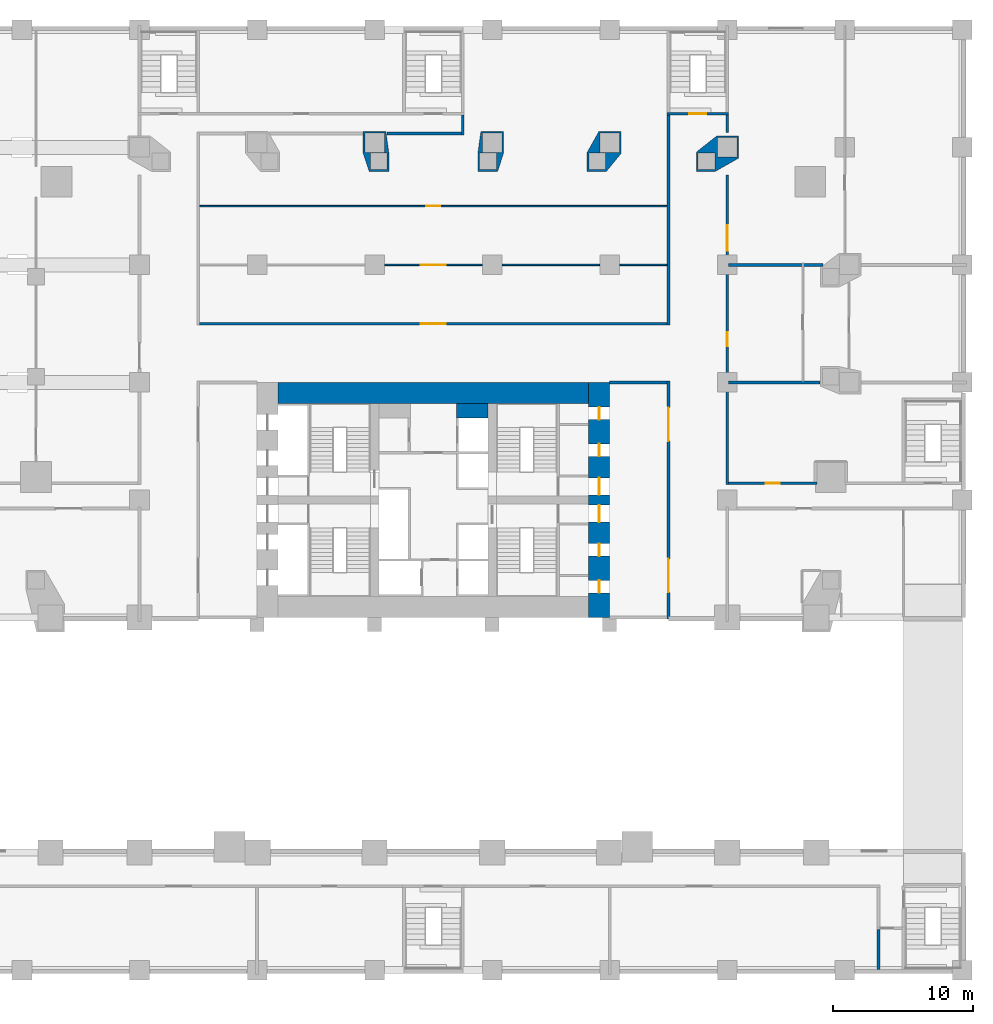
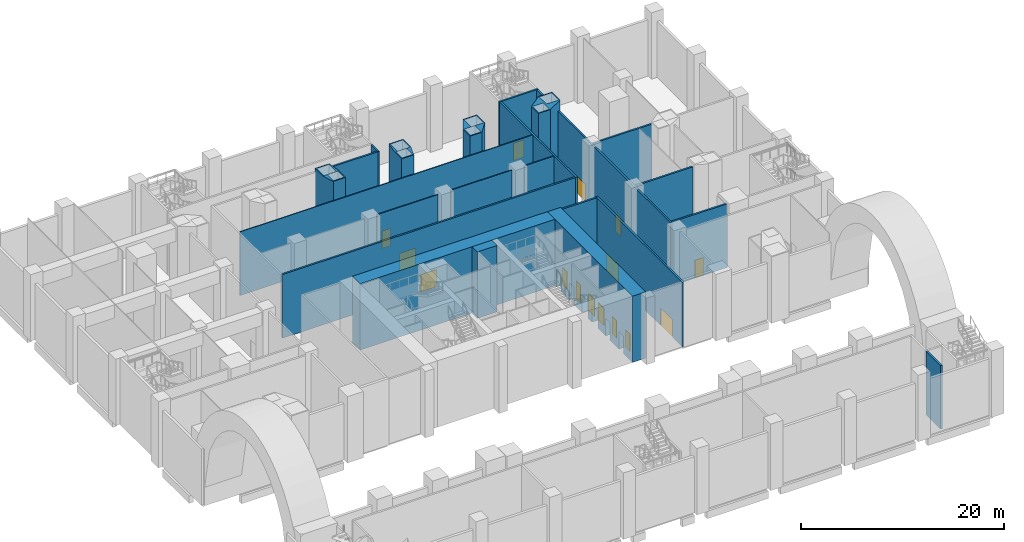
# One storey, part 8 of 19: 24 walls, 15 doors, 15 openings.
"""IFC4 building model written with IfcOpenShell, lengths in metres."""

from ifc_helpers import new_model, si_unit, direction, frame, frame_2d, origin, place, context, subcontext, project, spatial, polyline, rectangle, outline, extrude, material, layer, layer_set, type_object, element, fill, save


model = new_model("IFC4")

# Units and contexts
model_context = context("Model", 3, precision=1e-05, world=origin(), true_north=direction((0.0, 1.0)))
body_context = subcontext(model_context, "Body", "Model", "MODEL_VIEW")
ifc_project = project(units=[si_unit("LENGTHUNIT", "METRE"), si_unit("AREAUNIT", "SQUARE_METRE"), si_unit("VOLUMEUNIT", "CUBIC_METRE"), si_unit("PLANEANGLEUNIT", "RADIAN"), si_unit("MASSUNIT", "GRAM", prefix="KILO")], contexts=[model_context])

# Site, building, storey
site_placement = place(None, origin())
site = spatial("IfcSite", under=ifc_project, at=site_placement, CompositionType="ELEMENT")
building_placement = place(site_placement, origin())
building = spatial("IfcBuilding", under=site, at=building_placement, Name="Marenta Gate Hotel Tower", CompositionType="ELEMENT")
storey_placement = place(building_placement, frame((0.0, 0.0, 13.0)))
storey = spatial("IfcBuildingStorey", under=building, at=storey_placement, Name="L02", CompositionType="ELEMENT", Elevation=13.0)

# Wall, openings, doors
ifc_material_1 = material(Name="Concrete blockwork", Category="masonry")
ifc_layer_1 = layer(ifc_material_1, 0.199951171875)
ifc_layer_set_1 = layer_set([ifc_layer_1], Name="Concrete blockwork")
wall_type_1 = type_object("IfcWallType", Name="Core boundary wall 200 REI 180", PredefinedType="PARTITIONING", material=ifc_layer_set_1)
wall_1_placement = place(storey_placement, frame((16.800048828125, -0.10009765625, 0.0), z_axis=(0.0, 0.0, 1.0), x_axis=(0.0, 1.0, 0.0)))
wall_1 = element("IfcWall", 1, at=wall_1_placement, inside=storey, type_object=wall_type_1, Name="L02-CP-BW-E", PredefinedType="PARTITIONING", context=body_context, shape_type="SweptSolid", body=[
    extrude(rectangle(XDim=17.0, YDim=0.199951171875, at=frame_2d((8.5, 0.0))), origin(), (0.0, 0.0, 1.0), 7.780029296875),
])
opening_1_placement = place(wall_1_placement, frame((1.89990234375, 0.0, 0.0)))
opening_1 = element("IfcOpeningElement", 2, at=opening_1_placement, cuts=wall_1, Name="Opening ED-Ea-A", PredefinedType="OPENING", context=body_context, shape_type="SweptSolid", body=[
    extrude(rectangle(XDim=2.39990234375, YDim=2.10009765625, at=frame_2d((1.199951171875, 1.050048828125))), frame((0.0, 0.10009765625, 0.0), z_axis=(0.0, -1.0, 0.0), x_axis=(1.0, 0.0, 0.0)), (0.0, 0.0, 1.0), 0.199951171875),
])
opening_2_placement = place(wall_1_placement, frame((12.699951171875, 0.0, 0.0)))
opening_2 = element("IfcOpeningElement", 3, at=opening_2_placement, cuts=wall_1, Name="Opening ED-Eb-A", PredefinedType="OPENING", context=body_context, shape_type="SweptSolid", body=[
    extrude(rectangle(XDim=2.39990234375, YDim=2.10009765625, at=frame_2d((1.199951171875, 1.050048828125))), frame((0.0, 0.10009765625, 0.0), z_axis=(0.0, -1.0, 0.0), x_axis=(1.0, 0.0, 0.0)), (0.0, 0.0, 1.0), 0.199951171875),
])
ifc_material_2 = material(Name="Steel", Category="steel")
door_type_1 = type_object("IfcDoorType", Name="Core lobby entrance door 2400x2100 EI 60", OperationType="DOUBLE_DOOR_SINGLE_SWING", PredefinedType="DOOR", material=ifc_material_2)
door_1_placement = place(opening_1_placement, origin())
door_1 = element("IfcDoor", 4, at=door_1_placement, inside=storey, type_object=door_type_1, Name="ED-Ea-A", OperationType="DOUBLE_DOOR_SINGLE_SWING", OverallHeight=2.10009765625, OverallWidth=2.39990234375, PredefinedType="DOOR", context=body_context, shape_type="SweptSolid", body=[
    extrude(rectangle(XDim=2.39990234375, YDim=2.10009765625, at=frame_2d((1.199951171875, 1.050048828125))), frame((0.0, 0.02490234375, 0.0), z_axis=(0.0, -1.0, 0.0), x_axis=(1.0, 0.0, 0.0)), (0.0, 0.0, 1.0), 0.050048828125),
])
fill(opening_1, door_1)
door_2_placement = place(opening_2_placement, origin())
door_2 = element("IfcDoor", 5, at=door_2_placement, inside=storey, type_object=door_type_1, Name="ED-Eb-A", OperationType="DOUBLE_DOOR_SINGLE_SWING", OverallHeight=2.10009765625, OverallWidth=2.39990234375, PredefinedType="DOOR", context=body_context, shape_type="SweptSolid", body=[
    extrude(rectangle(XDim=2.39990234375, YDim=2.10009765625, at=frame_2d((1.199951171875, 1.050048828125))), frame((0.0, 0.02490234375, 0.0), z_axis=(0.0, -1.0, 0.0), x_axis=(1.0, 0.0, 0.0)), (0.0, 0.0, 1.0), 0.050048828125),
])
fill(opening_2, door_2)

# Walls
wall_2_placement = place(storey_placement, frame((12.60009765625, 16.800048828125, 0.0), z_axis=(0.0, 0.0, 1.0), x_axis=(1.0, 0.0, 0.0)))
element("IfcWall", 6, at=wall_2_placement, inside=storey, type_object=wall_type_1, Name="L02-CP-EW-EN", PredefinedType="PARTITIONING", context=body_context, shape_type="SweptSolid", body=[
    extrude(rectangle(XDim=4.099853515625, YDim=0.199951171875, at=frame_2d((2.0498046875, 0.0))), origin(), (0.0, 0.0, 1.0), 7.780029296875),
])
ifc_material_3 = material(Name="Concrete C40", Category="concrete")
ifc_layer_2 = layer(ifc_material_3, 1.050048828125)
ifc_layer_set_2 = layer_set([ifc_layer_2], Name="Concrete C40")
wall_type_2 = type_object("IfcWallType", Name="Core shaft wall 1050 REI 180", PredefinedType="SHEAR", material=ifc_layer_set_2)
wall_3_placement = place(storey_placement, frame((1.64990234375, 14.77490234375, 0.0), z_axis=(0.0, 0.0, 1.0), x_axis=(1.0, 0.0, 0.0)))
element("IfcWall", 7, at=wall_3_placement, inside=storey, type_object=wall_type_2, Name="L02-SHF-CE-N-top", PredefinedType="SHEAR", context=body_context, shape_type="SweptSolid", body=[
    extrude(rectangle(XDim=2.25, YDim=1.050048828125, at=frame_2d((1.125, 0.0))), origin(), (0.0, 0.0, 1.0), 8.0),
])

# Wall, openings, doors
ifc_material_4 = material(Name="Concrete C80", Category="concrete")
ifc_layer_3 = layer(ifc_material_4, 1.5)
ifc_layer_set_3 = layer_set([ifc_layer_3], Name="Concrete C80")
wall_type_3 = type_object("IfcWallType", Name="Core wall 1500 C80", PredefinedType="SHEAR", material=ifc_layer_set_3)
wall_4_placement = place(storey_placement, frame((11.85009765625, 0.0, 0.0), z_axis=(0.0, 0.0, 1.0), x_axis=(0.0, 1.0, 0.0)))
wall_4 = element("IfcWall", 8, at=wall_4_placement, inside=storey, type_object=wall_type_3, Name="L02-CORE-E", PredefinedType="SHEAR", context=body_context, shape_type="SweptSolid", body=[
    extrude(rectangle(XDim=16.800048828125, YDim=1.5, at=frame_2d((8.39990234375, 0.0))), origin(), (0.0, 0.0, 1.0), 8.0),
])
opening_3_placement = place(wall_4_placement, frame((1.762451171875, 0.0, 0.0)))
opening_3 = element("IfcOpeningElement", 9, at=opening_3_placement, cuts=wall_4, Name="Opening RD-ES-1", PredefinedType="OPENING", context=body_context, shape_type="SweptSolid", body=[
    extrude(rectangle(XDim=0.89990234375, YDim=2.10009765625, at=frame_2d((0.449951171875, 1.050048828125))), frame((0.0, 0.75, 0.0), z_axis=(0.0, -1.0, 0.0), x_axis=(1.0, 0.0, 0.0)), (0.0, 0.0, 1.0), 1.5),
])
opening_4_placement = place(wall_4_placement, frame((4.387451171875, 0.0, 0.0)))
opening_4 = element("IfcOpeningElement", 10, at=opening_4_placement, cuts=wall_4, Name="Opening RD-ES-2", PredefinedType="OPENING", context=body_context, shape_type="SweptSolid", body=[
    extrude(rectangle(XDim=0.89990234375, YDim=2.10009765625, at=frame_2d((0.449951171875, 1.050048828125))), frame((0.0, 0.75, 0.0), z_axis=(0.0, -1.0, 0.0), x_axis=(1.0, 0.0, 0.0)), (0.0, 0.0, 1.0), 1.5),
])
opening_5_placement = place(wall_4_placement, frame((6.824951171875, 0.0, 0.0)))
opening_5 = element("IfcOpeningElement", 11, at=opening_5_placement, cuts=wall_4, Name="Opening PD-ES", PredefinedType="OPENING", context=body_context, shape_type="SweptSolid", body=[
    extrude(rectangle(XDim=1.199951171875, YDim=2.10009765625, at=frame_2d((0.60009765625, 1.050048828125))), frame((0.0, 0.75, 0.0), z_axis=(0.0, -1.0, 0.0), x_axis=(1.0, 0.0, 0.0)), (0.0, 0.0, 1.0), 1.5),
])
opening_6_placement = place(wall_4_placement, frame((14.137451171875, 0.0, 0.0)))
opening_6 = element("IfcOpeningElement", 12, at=opening_6_placement, cuts=wall_4, Name="Opening RD-EN-1", PredefinedType="OPENING", context=body_context, shape_type="SweptSolid", body=[
    extrude(rectangle(XDim=0.89990234375, YDim=2.10009765625, at=frame_2d((0.449951171875, 1.050048828125))), frame((0.0, 0.75, 0.0), z_axis=(0.0, -1.0, 0.0), x_axis=(1.0, 0.0, 0.0)), (0.0, 0.0, 1.0), 1.5),
])
opening_7_placement = place(wall_4_placement, frame((11.512451171875, 0.0, 0.0)))
opening_7 = element("IfcOpeningElement", 13, at=opening_7_placement, cuts=wall_4, Name="Opening RD-EN-2", PredefinedType="OPENING", context=body_context, shape_type="SweptSolid", body=[
    extrude(rectangle(XDim=0.89990234375, YDim=2.10009765625, at=frame_2d((0.449951171875, 1.050048828125))), frame((0.0, 0.75, 0.0), z_axis=(0.0, -1.0, 0.0), x_axis=(1.0, 0.0, 0.0)), (0.0, 0.0, 1.0), 1.5),
])
opening_8_placement = place(wall_4_placement, frame((8.77490234375, 0.0, 0.0)))
opening_8 = element("IfcOpeningElement", 14, at=opening_8_placement, cuts=wall_4, Name="Opening PD-EN", PredefinedType="OPENING", context=body_context, shape_type="SweptSolid", body=[
    extrude(rectangle(XDim=1.199951171875, YDim=2.10009765625, at=frame_2d((0.60009765625, 1.050048828125))), frame((0.0, 0.75, 0.0), z_axis=(0.0, -1.0, 0.0), x_axis=(1.0, 0.0, 0.0)), (0.0, 0.0, 1.0), 1.5),
])
ifc_material_5 = material(Name="Steel", Category="steel")
door_type_2 = type_object("IfcDoorType", Name="Core lobby door 1200x2100 FD60", OperationType="SINGLE_SWING_LEFT", PredefinedType="DOOR", material=ifc_material_5)
door_3_placement = place(opening_5_placement, origin())
door_3 = element("IfcDoor", 15, at=door_3_placement, inside=storey, type_object=door_type_2, Name="PD-ES", OperationType="SINGLE_SWING_LEFT", OverallHeight=2.10009765625, OverallWidth=1.199951171875, PredefinedType="DOOR", context=body_context, shape_type="SweptSolid", body=[
    extrude(rectangle(XDim=1.199951171875, YDim=2.10009765625, at=frame_2d((0.60009765625, 1.050048828125))), frame((0.0, 0.02490234375, 0.0), z_axis=(0.0, -1.0, 0.0), x_axis=(1.0, 0.0, 0.0)), (0.0, 0.0, 1.0), 0.050048828125),
])
fill(opening_5, door_3)
door_4_placement = place(opening_8_placement, origin())
door_4 = element("IfcDoor", 16, at=door_4_placement, inside=storey, type_object=door_type_2, Name="PD-EN", OperationType="SINGLE_SWING_LEFT", OverallHeight=2.10009765625, OverallWidth=1.199951171875, PredefinedType="DOOR", context=body_context, shape_type="SweptSolid", body=[
    extrude(rectangle(XDim=1.199951171875, YDim=2.10009765625, at=frame_2d((0.60009765625, 1.050048828125))), frame((0.0, 0.02490234375, 0.0), z_axis=(0.0, -1.0, 0.0), x_axis=(1.0, 0.0, 0.0)), (0.0, 0.0, 1.0), 0.050048828125),
])
fill(opening_8, door_4)
ifc_material_6 = material(Name="Steel", Category="steel")
door_type_3 = type_object("IfcDoorType", Name="Core service room door 900x2100 FD30S", OperationType="SINGLE_SWING_LEFT", PredefinedType="DOOR", material=ifc_material_6)
door_5_placement = place(opening_3_placement, origin())
door_5 = element("IfcDoor", 17, at=door_5_placement, inside=storey, type_object=door_type_3, Name="RD-ES-1", OperationType="SINGLE_SWING_LEFT", OverallHeight=2.10009765625, OverallWidth=0.89990234375, PredefinedType="DOOR", context=body_context, shape_type="SweptSolid", body=[
    extrude(rectangle(XDim=0.89990234375, YDim=2.10009765625, at=frame_2d((0.449951171875, 1.050048828125))), frame((0.0, 0.02490234375, 0.0), z_axis=(0.0, -1.0, 0.0), x_axis=(1.0, 0.0, 0.0)), (0.0, 0.0, 1.0), 0.050048828125),
])
fill(opening_3, door_5)
door_6_placement = place(opening_4_placement, origin())
door_6 = element("IfcDoor", 18, at=door_6_placement, inside=storey, type_object=door_type_3, Name="RD-ES-2", OperationType="SINGLE_SWING_LEFT", OverallHeight=2.10009765625, OverallWidth=0.89990234375, PredefinedType="DOOR", context=body_context, shape_type="SweptSolid", body=[
    extrude(rectangle(XDim=0.89990234375, YDim=2.10009765625, at=frame_2d((0.449951171875, 1.050048828125))), frame((0.0, 0.02490234375, 0.0), z_axis=(0.0, -1.0, 0.0), x_axis=(1.0, 0.0, 0.0)), (0.0, 0.0, 1.0), 0.050048828125),
])
fill(opening_4, door_6)
door_7_placement = place(opening_6_placement, origin())
door_7 = element("IfcDoor", 19, at=door_7_placement, inside=storey, type_object=door_type_3, Name="RD-EN-1", OperationType="SINGLE_SWING_LEFT", OverallHeight=2.10009765625, OverallWidth=0.89990234375, PredefinedType="DOOR", context=body_context, shape_type="SweptSolid", body=[
    extrude(rectangle(XDim=0.89990234375, YDim=2.10009765625, at=frame_2d((0.449951171875, 1.050048828125))), frame((0.0, 0.02490234375, 0.0), z_axis=(0.0, -1.0, 0.0), x_axis=(1.0, 0.0, 0.0)), (0.0, 0.0, 1.0), 0.050048828125),
])
fill(opening_6, door_7)
door_8_placement = place(opening_7_placement, origin())
door_8 = element("IfcDoor", 20, at=door_8_placement, inside=storey, type_object=door_type_3, Name="RD-EN-2", OperationType="SINGLE_SWING_LEFT", OverallHeight=2.10009765625, OverallWidth=0.89990234375, PredefinedType="DOOR", context=body_context, shape_type="SweptSolid", body=[
    extrude(rectangle(XDim=0.89990234375, YDim=2.10009765625, at=frame_2d((0.449951171875, 1.050048828125))), frame((0.0, 0.02490234375, 0.0), z_axis=(0.0, -1.0, 0.0), x_axis=(1.0, 0.0, 0.0)), (0.0, 0.0, 1.0), 0.050048828125),
])
fill(opening_7, door_8)

# Walls
wall_5_placement = place(storey_placement, frame((-11.10009765625, 16.050048828125, 0.0), z_axis=(0.0, 0.0, 1.0), x_axis=(1.0, 0.0, 0.0)))
element("IfcWall", 21, at=wall_5_placement, inside=storey, type_object=wall_type_3, Name="L02-CORE-N", PredefinedType="SHEAR", context=body_context, shape_type="SweptSolid", body=[
    extrude(rectangle(XDim=22.2001953125, YDim=1.5, at=frame_2d((11.10009765625, 0.0))), origin(), (0.0, 0.0, 1.0), 8.0),
])
ifc_material_7 = material(Name="Concrete C70", Category="concrete")
ifc_layer_4 = layer(ifc_material_7, 1.60009765625)
ifc_layer_set_4 = layer_set([ifc_layer_4], Name="Concrete C70")
wall_type_4 = type_object("IfcWallType", Name="Pier wall board-marked concrete C70", PredefinedType="SOLIDWALL", material=ifc_layer_set_4)
wall_6_placement = place(storey_placement, origin())
element("IfcWall", 22, at=wall_6_placement, inside=storey, type_object=wall_type_4, Name="L02-PIER-4", PredefinedType="SOLIDWALL", context=body_context, shape_type="SweptSolid", body=[
    extrude(outline(polyline([(-5.02001953125, 33.200927734375), (-5.02001953125, 34.739990234375), (-3.3955078125, 34.739990234375), (-3.181396484375, 33.208251953125), (-3.181396484375, 31.8798828125), (-4.58837890625, 31.8798828125), (-5.02001953125, 33.200927734375)]), holes=[polyline([(-4.50146484375, 32.0), (-3.301513671875, 32.0), (-3.301513671875, 33.199951171875), (-4.50146484375, 33.199951171875), (-4.50146484375, 32.0)]), polyline([(-4.89990234375, 33.219970703125), (-3.5, 33.219970703125), (-3.5, 34.6201171875), (-4.89990234375, 34.6201171875), (-4.89990234375, 33.219970703125)])]), origin(), (0.0, 0.0, 1.0), 8.0),
])
wall_7_placement = place(storey_placement, origin())
element("IfcWall", 23, at=wall_7_placement, inside=storey, type_object=wall_type_4, Name="L02-PIER-5", PredefinedType="SOLIDWALL", context=body_context, shape_type="SweptSolid", body=[
    extrude(outline(polyline([(3.181396484375, 33.208251953125), (3.3955078125, 34.739990234375), (5.02001953125, 34.739990234375), (5.02001953125, 33.200927734375), (4.58837890625, 31.8798828125), (3.181396484375, 31.8798828125), (3.181396484375, 33.208251953125)]), holes=[polyline([(3.5, 33.219970703125), (4.89990234375, 33.219970703125), (4.89990234375, 34.6201171875), (3.5, 34.6201171875), (3.5, 33.219970703125)]), polyline([(3.301513671875, 32.0), (4.50146484375, 32.0), (4.50146484375, 33.199951171875), (3.301513671875, 33.199951171875), (3.301513671875, 32.0)])]), origin(), (0.0, 0.0, 1.0), 8.0),
])
wall_8_placement = place(storey_placement, origin())
element("IfcWall", 24, at=wall_8_placement, inside=storey, type_object=wall_type_4, Name="L02-PIER-6", PredefinedType="SOLIDWALL", context=body_context, shape_type="SweptSolid", body=[
    extrude(outline(polyline([(10.984130859375, 33.2314453125), (11.82958984375, 34.739990234375), (13.419921875, 34.739990234375), (13.419921875, 33.17724609375), (12.361083984375, 31.8798828125), (10.984130859375, 31.8798828125), (10.984130859375, 33.2314453125)]), holes=[polyline([(11.89990234375, 33.219970703125), (13.300048828125, 33.219970703125), (13.300048828125, 34.6201171875), (11.89990234375, 34.6201171875), (11.89990234375, 33.219970703125)]), polyline([(11.10400390625, 32.0), (12.30419921875, 32.0), (12.30419921875, 33.199951171875), (11.10400390625, 33.199951171875), (11.10400390625, 32.0)])]), origin(), (0.0, 0.0, 1.0), 8.0),
])
wall_9_placement = place(storey_placement, origin())
element("IfcWall", 25, at=wall_9_placement, inside=storey, type_object=wall_type_4, Name="L02-PIER-7", PredefinedType="SOLIDWALL", context=body_context, shape_type="SweptSolid", body=[
    extrude(outline(polyline([(20.25830078125, 34.419921875), (21.820068359375, 34.419921875), (21.820068359375, 32.830078125), (20.138427734375, 31.8798828125), (18.786865234375, 31.8798828125), (18.786865234375, 33.258056640625), (20.25830078125, 34.419921875)]), holes=[polyline([(21.699951171875, 32.89990234375), (21.699951171875, 34.300048828125), (20.300048828125, 34.300048828125), (20.300048828125, 32.89990234375), (21.699951171875, 32.89990234375)]), polyline([(20.10693359375, 32.0), (20.10693359375, 33.199951171875), (18.906982421875, 33.199951171875), (18.906982421875, 32.0), (20.10693359375, 32.0)])]), origin(), (0.0, 0.0, 1.0), 8.0),
])

# Wall, openings, doors
ifc_material_8 = material(Name="Concrete blockwork", Category="masonry")
ifc_layer_5 = layer(ifc_material_8, 0.199951171875)
ifc_layer_set_5 = layer_set([ifc_layer_5], Name="Concrete blockwork")
wall_type_5 = type_object("IfcWallType", Name="Room corridor wall 200 EI 120", PredefinedType="PARTITIONING", material=ifc_layer_set_5)
wall_10_placement = place(storey_placement, frame((21.0, 9.5, 0.0), z_axis=(0.0, 0.0, 1.0), x_axis=(0.0, 1.0, 0.0)))
wall_10 = element("IfcWall", 26, at=wall_10_placement, inside=storey, type_object=wall_type_5, Name="L02-PTN-W018", PredefinedType="PARTITIONING", context=body_context, shape_type="SweptSolid", body=[
    extrude(rectangle(XDim=22.135009765625, YDim=0.199951171875, at=frame_2d((11.0673828125, 0.0))), origin(), (0.0, 0.0, 1.0), 7.679931640625),
])
opening_9_placement = place(wall_10_placement, frame((9.89990234375, 0.0, 0.0)))
opening_9 = element("IfcOpeningElement", 27, at=opening_9_placement, cuts=wall_10, Name="Opening S03-10", PredefinedType="OPENING", context=body_context, shape_type="SweptSolid", body=[
    extrude(rectangle(XDim=1.0, YDim=2.10009765625, at=frame_2d((0.5, 1.050048828125))), frame((0.0, 0.10009765625, 0.0), z_axis=(0.0, -1.0, 0.0), x_axis=(1.0, 0.0, 0.0)), (0.0, 0.0, 1.0), 0.199951171875),
])
opening_10_placement = place(wall_10_placement, frame((16.717041015625, 0.0, 0.0)))
opening_10 = element("IfcOpeningElement", 28, at=opening_10_placement, cuts=wall_10, Name="Opening S03-13", PredefinedType="OPENING", context=body_context, shape_type="SweptSolid", body=[
    extrude(rectangle(XDim=1.800048828125, YDim=2.10009765625, at=frame_2d((0.89990234375, 1.050048828125))), frame((0.0, 0.10009765625, 0.0), z_axis=(0.0, -1.0, 0.0), x_axis=(1.0, 0.0, 0.0)), (0.0, 0.0, 1.0), 0.199951171875),
])
ifc_material_9 = material(Name="Timber door leaf", Category="wood")
door_type_4 = type_object("IfcDoorType", Name="Room amenity door 1800x2100 EI 60", OperationType="DOUBLE_DOOR_SINGLE_SWING", PredefinedType="DOOR", material=ifc_material_9)
door_9_placement = place(opening_10_placement, origin())
door_9 = element("IfcDoor", 29, at=door_9_placement, inside=storey, type_object=door_type_4, Name="L02-PD-D013", OperationType="DOUBLE_DOOR_SINGLE_SWING", OverallHeight=2.10009765625, OverallWidth=1.800048828125, PredefinedType="DOOR", context=body_context, shape_type="SweptSolid", body=[
    extrude(rectangle(XDim=1.800048828125, YDim=2.10009765625, at=frame_2d((0.89990234375, 1.050048828125))), frame((0.0, 0.02490234375, 0.0), z_axis=(0.0, -1.0, 0.0), x_axis=(1.0, 0.0, 0.0)), (0.0, 0.0, 1.0), 0.050048828125),
])
fill(opening_10, door_9)
ifc_material_10 = material(Name="Timber door leaf", Category="wood")
door_type_5 = type_object("IfcDoorType", Name="Toilet room door 1000x2100 EI 60", OperationType="NOTDEFINED", PredefinedType="DOOR", material=ifc_material_10)
door_10_placement = place(opening_9_placement, origin())
door_10 = element("IfcDoor", 30, at=door_10_placement, inside=storey, type_object=door_type_5, Name="L02-PD-D010", OperationType="SINGLE_SWING_RIGHT", OverallHeight=2.10009765625, OverallWidth=1.0, PredefinedType="DOOR", context=body_context, shape_type="SweptSolid", body=[
    extrude(rectangle(XDim=1.0, YDim=2.10009765625, at=frame_2d((0.5, 1.050048828125))), frame((0.0, 0.02490234375, 0.0), z_axis=(0.0, -1.0, 0.0), x_axis=(1.0, 0.0, 0.0)), (0.0, 0.0, 1.0), 0.050048828125),
])
fill(opening_9, door_10)

# Walls
ifc_material_11 = material(Name="Gypsum board on steel stud", Category="steel")
ifc_layer_6 = layer(ifc_material_11, 0.199951171875)
ifc_layer_set_6 = layer_set([ifc_layer_6], Name="Gypsum board on steel stud")
wall_type_6 = type_object("IfcWallType", Name="Room corridor wall 200 EI 60", PredefinedType="PARTITIONING", material=ifc_layer_set_6)
wall_11_placement = place(storey_placement, frame((21.0, 34.66796875, 0.0), z_axis=(0.0, 0.0, 1.0), x_axis=(0.0, 1.0, 0.0)))
element("IfcWall", 31, at=wall_11_placement, inside=storey, type_object=wall_type_6, Name="L02-PTN-W019", PredefinedType="PARTITIONING", context=body_context, shape_type="SweptSolid", body=[
    extrude(rectangle(XDim=1.23193359375, YDim=0.199951171875, at=frame_2d((0.615966796875, 0.0))), origin(), (0.0, 0.0, 1.0), 7.679931640625),
])
wall_12_placement = place(storey_placement, frame((16.800048828125, 20.89990234375, 0.0), z_axis=(0.0, 0.0, 1.0), x_axis=(0.0, 1.0, 0.0)))
element("IfcWall", 32, at=wall_12_placement, inside=storey, type_object=wall_type_6, Name="L02-PTN-W024", PredefinedType="PARTITIONING", context=body_context, shape_type="SweptSolid", body=[
    extrude(rectangle(XDim=15.0, YDim=0.199951171875, at=frame_2d((7.5, 0.0))), origin(), (0.0, 0.0, 1.0), 7.679931640625),
])

# Wall, opening, door
wall_13_placement = place(storey_placement, frame((-16.699951171875, 21.0, 0.0), z_axis=(0.0, 0.0, 1.0), x_axis=(1.0, 0.0, 0.0)))
wall_13 = element("IfcWall", 33, at=wall_13_placement, inside=storey, type_object=wall_type_6, Name="L02-PTN-W051", PredefinedType="PARTITIONING", context=body_context, shape_type="SweptSolid", body=[
    extrude(rectangle(XDim=33.39990234375, YDim=0.199951171875, at=frame_2d((16.699951171875, 0.0))), origin(), (0.0, 0.0, 1.0), 7.679931640625),
])
opening_11_placement = place(wall_13_placement, frame((15.800048828125, 0.0, 0.0)))
opening_11 = element("IfcOpeningElement", 34, at=opening_11_placement, cuts=wall_13, Name="Opening S03-15", PredefinedType="OPENING", context=body_context, shape_type="SweptSolid", body=[
    extrude(rectangle(XDim=1.800048828125, YDim=2.10009765625, at=frame_2d((0.89990234375, 1.050048828125))), frame((0.0, 0.10009765625, 0.0), z_axis=(0.0, -1.0, 0.0), x_axis=(1.0, 0.0, 0.0)), (0.0, 0.0, 1.0), 0.199951171875),
])
ifc_material_12 = material(Name="Timber door leaf", Category="wood")
door_type_6 = type_object("IfcDoorType", Name="Room amenity door 1800x2100 EI 30", OperationType="DOUBLE_DOOR_SINGLE_SWING", PredefinedType="DOOR", material=ifc_material_12)
door_11_placement = place(opening_11_placement, origin())
door_11 = element("IfcDoor", 35, at=door_11_placement, inside=storey, type_object=door_type_6, Name="L02-PD-D015", OperationType="DOUBLE_DOOR_SINGLE_SWING", OverallHeight=2.10009765625, OverallWidth=1.800048828125, PredefinedType="DOOR", context=body_context, shape_type="SweptSolid", body=[
    extrude(rectangle(XDim=1.800048828125, YDim=2.10009765625, at=frame_2d((0.89990234375, 1.050048828125))), frame((0.0, 0.02490234375, 0.0), z_axis=(0.0, -1.0, 0.0), x_axis=(1.0, 0.0, 0.0)), (0.0, 0.0, 1.0), 0.050048828125),
])
fill(opening_11, door_11)

# Wall
ifc_material_13 = material(Name="Concrete blockwork", Category="masonry")
ifc_layer_7 = layer(ifc_material_13, 0.199951171875)
ifc_layer_set_7 = layer_set([ifc_layer_7], Name="Concrete blockwork")
wall_type_7 = type_object("IfcWallType", Name="Room corridor wall 200 REI 180", PredefinedType="PARTITIONING", material=ifc_layer_set_7)
wall_14_placement = place(storey_placement, frame((2.10009765625, 34.5, 0.0), z_axis=(0.0, 0.0, 1.0), x_axis=(0.0, 1.0, 0.0)))
element("IfcWall", 36, at=wall_14_placement, inside=storey, type_object=wall_type_7, Name="L02-PTN-W029", PredefinedType="PARTITIONING", context=body_context, shape_type="SweptSolid", body=[
    extrude(rectangle(XDim=1.39990234375, YDim=0.199951171875, at=frame_2d((0.699951171875, 0.0))), origin(), (0.0, 0.0, 1.0), 7.679931640625),
])

# Wall, opening, door
wall_15_placement = place(storey_placement, frame((21.10009765625, 9.60009765625, 0.0), z_axis=(0.0, 0.0, 1.0), x_axis=(1.0, 0.0, 0.0)))
wall_15 = element("IfcWall", 37, at=wall_15_placement, inside=storey, type_object=wall_type_7, Name="L02-PTN-W037", PredefinedType="PARTITIONING", context=body_context, shape_type="SweptSolid", body=[
    extrude(rectangle(XDim=6.2998046875, YDim=0.199951171875, at=frame_2d((3.14990234375, 0.0))), origin(), (0.0, 0.0, 1.0), 7.679931640625),
])
opening_12_placement = place(wall_15_placement, frame((2.64990234375, 0.0, 0.0)))
opening_12 = element("IfcOpeningElement", 38, at=opening_12_placement, cuts=wall_15, Name="Opening S03-08", PredefinedType="OPENING", context=body_context, shape_type="SweptSolid", body=[
    extrude(rectangle(XDim=1.0, YDim=2.10009765625, at=frame_2d((0.5, 1.050048828125))), frame((0.0, 0.10009765625, 0.0), z_axis=(0.0, -1.0, 0.0), x_axis=(1.0, 0.0, 0.0)), (0.0, 0.0, 1.0), 0.199951171875),
])
ifc_material_14 = material(Name="Hollow steel door set", Category="steel")
door_type_7 = type_object("IfcDoorType", Name="Kitchen room door 1000x2100 EI 60", OperationType="NOTDEFINED", PredefinedType="DOOR", material=ifc_material_14)
door_12_placement = place(opening_12_placement, origin())
door_12 = element("IfcDoor", 39, at=door_12_placement, inside=storey, type_object=door_type_7, Name="L02-PD-D008", OperationType="SINGLE_SWING_LEFT", OverallHeight=2.10009765625, OverallWidth=1.0, PredefinedType="DOOR", context=body_context, shape_type="SweptSolid", body=[
    extrude(rectangle(XDim=1.0, YDim=2.10009765625, at=frame_2d((0.5, 1.050048828125))), frame((0.0, 0.02490234375, 0.0), z_axis=(0.0, -1.0, 0.0), x_axis=(1.0, 0.0, 0.0)), (0.0, 0.0, 1.0), 0.050048828125),
])
fill(opening_12, door_12)

# Wall
wall_16_placement = place(storey_placement, frame((-3.325927734375, 34.60009765625, 0.0), z_axis=(0.0, 0.0, 1.0), x_axis=(1.0, 0.0, 0.0)))
element("IfcWall", 40, at=wall_16_placement, inside=storey, type_object=wall_type_7, Name="L02-PTN-W073", PredefinedType="PARTITIONING", context=body_context, shape_type="SweptSolid", body=[
    extrude(rectangle(XDim=5.325927734375, YDim=0.199951171875, at=frame_2d((2.6630859375, 0.0))), origin(), (0.0, 0.0, 1.0), 7.679931640625),
])

# Wall, opening, door
wall_17_placement = place(storey_placement, frame((16.699951171875, 36.0, 0.0), z_axis=(0.0, 0.0, 1.0), x_axis=(1.0, 0.0, 0.0)))
wall_17 = element("IfcWall", 41, at=wall_17_placement, inside=storey, type_object=wall_type_7, Name="L02-PTN-W075", PredefinedType="PARTITIONING", context=body_context, shape_type="SweptSolid", body=[
    extrude(rectangle(XDim=4.400146484375, YDim=0.199951171875, at=frame_2d((2.2001953125, 0.0))), origin(), (0.0, 0.0, 1.0), 7.679931640625),
])
opening_13_placement = place(wall_17_placement, frame((1.60009765625, 0.0, 0.0)))
opening_13 = element("IfcOpeningElement", 42, at=opening_13_placement, cuts=wall_17, Name="Opening S03-02", PredefinedType="OPENING", context=body_context, shape_type="SweptSolid", body=[
    extrude(rectangle(XDim=1.199951171875, YDim=2.10009765625, at=frame_2d((0.60009765625, 1.050048828125))), frame((0.0, 0.10009765625, 0.0), z_axis=(0.0, -1.0, 0.0), x_axis=(1.0, 0.0, 0.0)), (0.0, 0.0, 1.0), 0.199951171875),
])
ifc_material_15 = material(Name="Hollow steel door set", Category="steel")
door_type_8 = type_object("IfcDoorType", Name="Podium stair door 1200x2100 EI 60", OperationType="NOTDEFINED", PredefinedType="DOOR", material=ifc_material_15)
door_13_placement = place(opening_13_placement, origin())
door_13 = element("IfcDoor", 43, at=door_13_placement, inside=storey, type_object=door_type_8, Name="L02-PD-D002", OperationType="SINGLE_SWING_LEFT", OverallHeight=2.10009765625, OverallWidth=1.199951171875, PredefinedType="DOOR", context=body_context, shape_type="SweptSolid", body=[
    extrude(rectangle(XDim=1.199951171875, YDim=2.10009765625, at=frame_2d((0.60009765625, 1.050048828125))), frame((0.0, 0.02490234375, 0.0), z_axis=(0.0, -1.0, 0.0), x_axis=(1.0, 0.0, 0.0)), (0.0, 0.0, 1.0), 0.050048828125),
])
fill(opening_13, door_13)

ifc_material_16 = material(Name="Gypsum board on steel stud", Category="steel")
ifc_layer_8 = layer(ifc_material_16, 0.10009765625)
ifc_layer_set_8 = layer_set([ifc_layer_8], Name="Gypsum board on steel stud")
wall_type_8 = type_object("IfcWallType", Name="Room partition 100", PredefinedType="PARTITIONING", material=ifc_layer_set_8)
wall_18_placement = place(storey_placement, frame((-3.47998046875, 25.199951171875, 0.0), z_axis=(0.0, 0.0, 1.0), x_axis=(1.0, 0.0, 0.0)))
wall_18 = element("IfcWall", 44, at=wall_18_placement, inside=storey, type_object=wall_type_8, Name="L02-PTN-W054", PredefinedType="PARTITIONING", context=body_context, shape_type="SweptSolid", body=[
    extrude(rectangle(XDim=6.9599609375, YDim=0.10009765625, at=frame_2d((3.47998046875, 0.0))), origin(), (0.0, 0.0, 1.0), 7.679931640625),
])
opening_14_placement = place(wall_18_placement, frame((2.580078125, 0.0, 0.0)))
opening_14 = element("IfcOpeningElement", 45, at=opening_14_placement, cuts=wall_18, Name="Opening S03-31", PredefinedType="OPENING", context=body_context, shape_type="SweptSolid", body=[
    extrude(rectangle(XDim=1.800048828125, YDim=2.10009765625, at=frame_2d((0.89990234375, 1.050048828125))), frame((0.0, 0.050048828125, 0.0), z_axis=(0.0, -1.0, 0.0), x_axis=(1.0, 0.0, 0.0)), (0.0, 0.0, 1.0), 0.10009765625),
])
ifc_material_17 = material(Name="Timber door leaf", Category="wood")
door_type_9 = type_object("IfcDoorType", Name="Room amenity door 1800x2100", OperationType="DOUBLE_DOOR_SINGLE_SWING", PredefinedType="DOOR", material=ifc_material_17)
door_14_placement = place(opening_14_placement, origin())
door_14 = element("IfcDoor", 46, at=door_14_placement, inside=storey, type_object=door_type_9, Name="L02-PD-D031", OperationType="DOUBLE_DOOR_SINGLE_SWING", OverallHeight=2.10009765625, OverallWidth=1.800048828125, PredefinedType="DOOR", context=body_context, shape_type="SweptSolid", body=[
    extrude(rectangle(XDim=1.800048828125, YDim=2.10009765625, at=frame_2d((0.89990234375, 1.050048828125))), frame((0.0, 0.02490234375, 0.0), z_axis=(0.0, -1.0, 0.0), x_axis=(1.0, 0.0, 0.0)), (0.0, 0.0, 1.0), 0.050048828125),
])
fill(opening_14, door_14)

# Walls
wall_19_placement = place(storey_placement, frame((4.919921875, 25.199951171875, 0.0), z_axis=(0.0, 0.0, 1.0), x_axis=(1.0, 0.0, 0.0)))
element("IfcWall", 47, at=wall_19_placement, inside=storey, type_object=wall_type_8, Name="L02-PTN-W055", PredefinedType="PARTITIONING", context=body_context, shape_type="SweptSolid", body=[
    extrude(rectangle(XDim=6.9599609375, YDim=0.10009765625, at=frame_2d((3.47998046875, 0.0))), origin(), (0.0, 0.0, 1.0), 7.679931640625),
])
wall_20_placement = place(storey_placement, frame((13.320068359375, 25.199951171875, 0.0), z_axis=(0.0, 0.0, 1.0), x_axis=(1.0, 0.0, 0.0)))
element("IfcWall", 48, at=wall_20_placement, inside=storey, type_object=wall_type_8, Name="L02-PTN-W056", PredefinedType="PARTITIONING", context=body_context, shape_type="SweptSolid", body=[
    extrude(rectangle(XDim=3.3798828125, YDim=0.10009765625, at=frame_2d((1.68994140625, 0.0))), origin(), (0.0, 0.0, 1.0), 7.679931640625),
])

# Wall, opening, door
wall_21_placement = place(storey_placement, frame((-16.699951171875, 29.39990234375, 0.0), z_axis=(0.0, 0.0, 1.0), x_axis=(1.0, 0.0, 0.0)))
wall_21 = element("IfcWall", 49, at=wall_21_placement, inside=storey, type_object=wall_type_8, Name="L02-PTN-W063", PredefinedType="PARTITIONING", context=body_context, shape_type="SweptSolid", body=[
    extrude(rectangle(XDim=33.39990234375, YDim=0.10009765625, at=frame_2d((16.699951171875, 0.0))), origin(), (0.0, 0.0, 1.0), 7.679931640625),
])
opening_15_placement = place(wall_21_placement, frame((16.199951171875, 0.0, 0.0)))
opening_15 = element("IfcOpeningElement", 50, at=opening_15_placement, cuts=wall_21, Name="Opening S03-17", PredefinedType="OPENING", context=body_context, shape_type="SweptSolid", body=[
    extrude(rectangle(XDim=1.0, YDim=2.10009765625, at=frame_2d((0.5, 1.050048828125))), frame((0.0, 0.050048828125, 0.0), z_axis=(0.0, -1.0, 0.0), x_axis=(1.0, 0.0, 0.0)), (0.0, 0.0, 1.0), 0.10009765625),
])
ifc_material_18 = material(Name="Timber door leaf", Category="wood")
door_type_10 = type_object("IfcDoorType", Name="Room inner door 1000x2100", OperationType="NOTDEFINED", PredefinedType="DOOR", material=ifc_material_18)
door_15_placement = place(opening_15_placement, origin())
door_15 = element("IfcDoor", 51, at=door_15_placement, inside=storey, type_object=door_type_10, Name="L02-PD-D017", OperationType="SINGLE_SWING_RIGHT", OverallHeight=2.10009765625, OverallWidth=1.0, PredefinedType="DOOR", context=body_context, shape_type="SweptSolid", body=[
    extrude(rectangle(XDim=1.0, YDim=2.10009765625, at=frame_2d((0.5, 1.050048828125))), frame((0.0, 0.02490234375, 0.0), z_axis=(0.0, -1.0, 0.0), x_axis=(1.0, 0.0, 0.0)), (0.0, 0.0, 1.0), 0.050048828125),
])
fill(opening_15, door_15)

# Walls
ifc_material_19 = material(Name="Concrete blockwork", Category="masonry")
ifc_layer_9 = layer(ifc_material_19, 0.199951171875)
ifc_layer_set_9 = layer_set([ifc_layer_9], Name="Concrete blockwork")
wall_type_9 = type_object("IfcWallType", Name="Room party wall 200 EI 120", PredefinedType="PARTITIONING", material=ifc_layer_set_9)
wall_22_placement = place(storey_placement, frame((31.800048828125, -25.139892578125, 0.0), z_axis=(0.0, 0.0, 1.0), x_axis=(0.0, 1.0, 0.0)))
element("IfcWall", 52, at=wall_22_placement, inside=storey, type_object=wall_type_9, Name="L02-PTN-W005", PredefinedType="PARTITIONING", context=body_context, shape_type="SweptSolid", body=[
    extrude(rectangle(XDim=2.83984375, YDim=0.199951171875, at=frame_2d((1.419921875, 0.0))), origin(), (0.0, 0.0, 1.0), 7.679931640625),
])
wall_23_placement = place(storey_placement, frame((21.10009765625, 16.800048828125, 0.0), z_axis=(0.0, 0.0, 1.0), x_axis=(1.0, 0.0, 0.0)))
element("IfcWall", 53, at=wall_23_placement, inside=storey, type_object=wall_type_9, Name="L02-PTN-W045", PredefinedType="PARTITIONING", context=body_context, shape_type="SweptSolid", body=[
    extrude(rectangle(XDim=6.52978515625, YDim=0.199951171875, at=frame_2d((3.264892578125, 0.0))), origin(), (0.0, 0.0, 1.0), 7.679931640625),
])
ifc_material_20 = material(Name="Gypsum board on steel stud", Category="steel")
ifc_layer_10 = layer(ifc_material_20, 0.199951171875)
ifc_layer_set_10 = layer_set([ifc_layer_10], Name="Gypsum board on steel stud")
wall_type_10 = type_object("IfcWallType", Name="Room party wall 200 EI 60", PredefinedType="PARTITIONING", material=ifc_layer_set_10)
wall_24_placement = place(storey_placement, frame((21.10009765625, 25.199951171875, 0.0), z_axis=(0.0, 0.0, 1.0), x_axis=(1.0, 0.0, 0.0)))
element("IfcWall", 54, at=wall_24_placement, inside=storey, type_object=wall_type_10, Name="L02-PTN-W057", PredefinedType="PARTITIONING", context=body_context, shape_type="SweptSolid", body=[
    extrude(rectangle(XDim=6.73681640625, YDim=0.199951171875, at=frame_2d((3.368408203125, 0.0))), origin(), (0.0, 0.0, 1.0), 7.679931640625),
])

save(model, "model.ifc")
